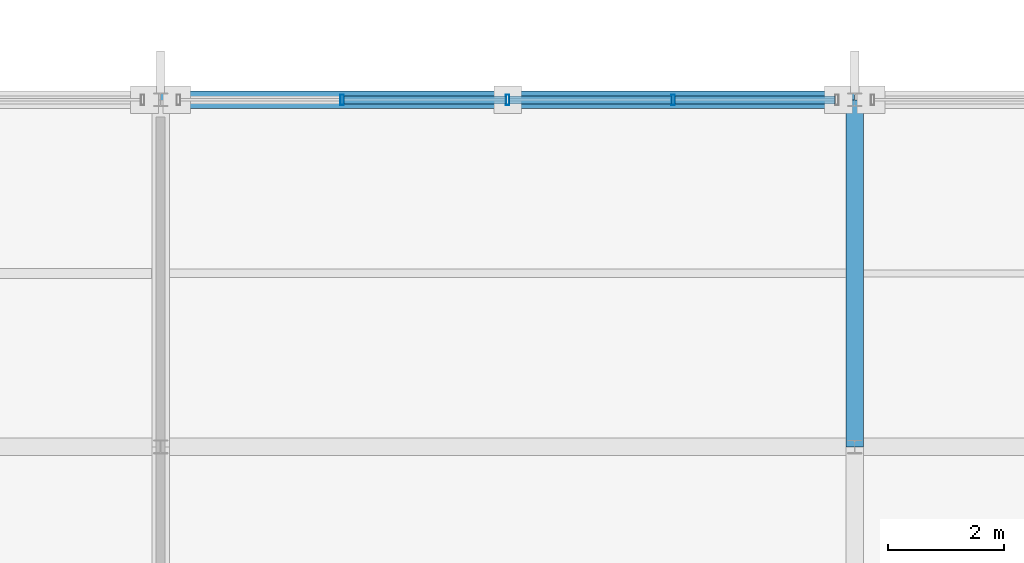
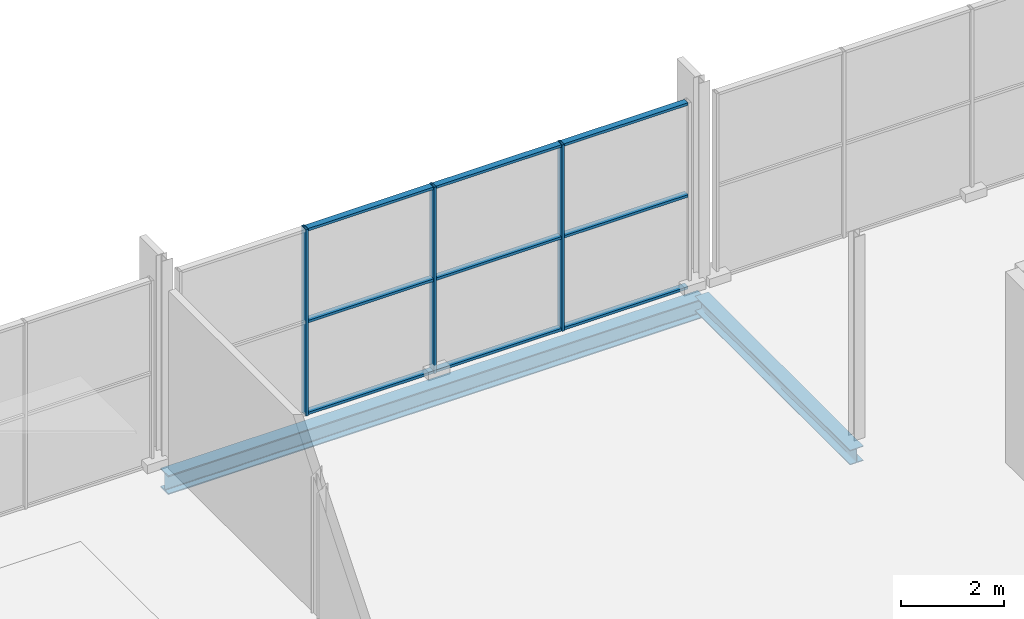
# One storey, part 108 of 159: 12 members, 2 beams, 1 element without a shape of its own.
"""IFC4 building model written with IfcOpenShell, lengths in metres."""

from ifc_helpers import new_model, si_unit, direction, frame, origin, origin_2d, place, context, subcontext, project, spatial, hollow_rectangle, i_section, extrude, material, material_profile, profile_set, type_object, element, aggregate, save


model = new_model("IFC4")

# Units and contexts
model_context = context("Model", 3, precision=1e-05, world=origin(), true_north=direction((0.0, 1.0)))
body_context = subcontext(model_context, "Body", "Model", "MODEL_VIEW")
ifc_project = project(units=[si_unit("LENGTHUNIT", "METRE"), si_unit("AREAUNIT", "SQUARE_METRE"), si_unit("VOLUMEUNIT", "CUBIC_METRE"), si_unit("PLANEANGLEUNIT", "RADIAN"), si_unit("MASSUNIT", "GRAM", prefix="KILO")], contexts=[model_context])

# Site, building, storey
site_placement = place(None, origin())
site = spatial("IfcSite", under=ifc_project, at=site_placement, CompositionType="ELEMENT")
building_placement = place(site_placement, origin())
building = spatial("IfcBuilding", under=site, at=building_placement, Name="Merenkruunu Market Hall", CompositionType="ELEMENT")
storey_placement = place(building_placement, frame((0.0, 0.0, 5.39990234375)))
storey = spatial("IfcBuildingStorey", under=building, at=storey_placement, Name="L01", CompositionType="ELEMENT", Elevation=5.39990234375)

# Curtain wall, members
ifc_material_1 = material(Name="Powder-coated aluminium", Category="aluminium")
curtain_wall_type = type_object("IfcCurtainWallType", Name="Glazed Curtain Wall CW05", PredefinedType="USERDEFINED", material=ifc_material_1)
curtain_wall_placement = place(storey_placement, origin())
curtain_wall = element("IfcCurtainWall", 1, at=curtain_wall_placement, inside=storey, type_object=curtain_wall_type, Name="CW-L01-CWM02-197", ObjectType="GLAZED_FACADE", PredefinedType="USERDEFINED")
ifc_material_profile_1 = material_profile(ifc_material_1, hollow_rectangle(XDim=0.06005859375, YDim=0.179931640625, WallThickness=0.00390625, at=origin_2d()), Name="ALU 60x180x4")
ifc_profile_set_1 = profile_set([ifc_material_profile_1], Name="Powder-coated aluminium")
member_type_1 = type_object("IfcMemberType", Name="Curtain Wall Mullion CWM02", PredefinedType="MULLION", material=ifc_profile_set_1)
member_1_placement = place(storey_placement, frame((127.93994140625, 45.60009765625, 0.0), z_axis=(0.0, 0.0, 1.0), x_axis=(1.0, 0.0, 0.0)))
member_1 = element("IfcMember", 2, at=member_1_placement, type_object=member_type_1, Name="CW05 mullion 2", PredefinedType="MULLION", context=body_context, shape_type="SweptSolid", body=[
    extrude(hollow_rectangle(XDim=0.06005859375, YDim=0.179931640625, WallThickness=0.00390625, at=origin_2d()), origin(), (0.0, 0.0, 1.0), 4.400146484375),
])
member_2_placement = place(storey_placement, frame((130.800048828125, 45.60009765625, 0.0), z_axis=(0.0, 0.0, 1.0), x_axis=(1.0, 0.0, 0.0)))
member_2 = element("IfcMember", 3, at=member_2_placement, type_object=member_type_1, Name="CW05 mullion 3", PredefinedType="MULLION", context=body_context, shape_type="SweptSolid", body=[
    extrude(hollow_rectangle(XDim=0.06005859375, YDim=0.179931640625, WallThickness=0.00390625, at=origin_2d()), origin(), (0.0, 0.0, 1.0), 4.400146484375),
])
member_3_placement = place(storey_placement, frame((133.659912109375, 45.60009765625, 0.0), z_axis=(0.0, 0.0, 1.0), x_axis=(1.0, 0.0, 0.0)))
member_3 = element("IfcMember", 4, at=member_3_placement, type_object=member_type_1, Name="CW05 mullion 4", PredefinedType="MULLION", context=body_context, shape_type="SweptSolid", body=[
    extrude(hollow_rectangle(XDim=0.06005859375, YDim=0.179931640625, WallThickness=0.00390625, at=origin_2d()), origin(), (0.0, 0.0, 1.0), 4.400146484375),
])
ifc_material_profile_2 = material_profile(ifc_material_1, hollow_rectangle(XDim=0.06005859375, YDim=0.139892578125, WallThickness=0.00390625, at=origin_2d()), Name="ALU 60x140x4")
ifc_profile_set_2 = profile_set([ifc_material_profile_2], Name="Powder-coated aluminium")
member_type_2 = type_object("IfcMemberType", Name="Curtain Wall Transom CWT02", PredefinedType="USERDEFINED", material=ifc_profile_set_2)
member_4_placement = place(storey_placement, frame((127.969970703125, 45.60009765625, 0.030029296875), z_axis=(1.0, 0.0, 0.0), x_axis=(0.0, 0.0, 1.0)))
member_4 = element("IfcMember", 5, at=member_4_placement, type_object=member_type_2, Name="CW05 transom 2.1", ObjectType="TRANSOM", PredefinedType="USERDEFINED", context=body_context, shape_type="SweptSolid", body=[
    extrude(hollow_rectangle(XDim=0.06005859375, YDim=0.139892578125, WallThickness=0.00390625, at=origin_2d()), origin(), (0.0, 0.0, 1.0), 2.800048828125),
])
member_5_placement = place(storey_placement, frame((127.969970703125, 45.60009765625, 2.2001953125), z_axis=(1.0, 0.0, 0.0), x_axis=(0.0, 0.0, 1.0)))
member_5 = element("IfcMember", 6, at=member_5_placement, type_object=member_type_2, Name="CW05 transom 2.2", ObjectType="TRANSOM", PredefinedType="USERDEFINED", context=body_context, shape_type="SweptSolid", body=[
    extrude(hollow_rectangle(XDim=0.06005859375, YDim=0.139892578125, WallThickness=0.00390625, at=origin_2d()), origin(), (0.0, 0.0, 1.0), 2.800048828125),
])
member_6_placement = place(storey_placement, frame((127.969970703125, 45.60009765625, 4.3701171875), z_axis=(1.0, 0.0, 0.0), x_axis=(0.0, 0.0, 1.0)))
member_6 = element("IfcMember", 7, at=member_6_placement, type_object=member_type_2, Name="CW05 transom 2.3", ObjectType="TRANSOM", PredefinedType="USERDEFINED", context=body_context, shape_type="SweptSolid", body=[
    extrude(hollow_rectangle(XDim=0.06005859375, YDim=0.139892578125, WallThickness=0.00390625, at=origin_2d()), origin(), (0.0, 0.0, 1.0), 2.800048828125),
])
member_7_placement = place(storey_placement, frame((130.830078125, 45.60009765625, 0.030029296875), z_axis=(1.0, 0.0, 0.0), x_axis=(0.0, 0.0, 1.0)))
member_7 = element("IfcMember", 8, at=member_7_placement, type_object=member_type_2, Name="CW05 transom 3.1", ObjectType="TRANSOM", PredefinedType="USERDEFINED", context=body_context, shape_type="SweptSolid", body=[
    extrude(hollow_rectangle(XDim=0.06005859375, YDim=0.139892578125, WallThickness=0.00390625, at=origin_2d()), origin(), (0.0, 0.0, 1.0), 2.7998046875),
])
member_8_placement = place(storey_placement, frame((130.830078125, 45.60009765625, 2.2001953125), z_axis=(1.0, 0.0, 0.0), x_axis=(0.0, 0.0, 1.0)))
member_8 = element("IfcMember", 9, at=member_8_placement, type_object=member_type_2, Name="CW05 transom 3.2", ObjectType="TRANSOM", PredefinedType="USERDEFINED", context=body_context, shape_type="SweptSolid", body=[
    extrude(hollow_rectangle(XDim=0.06005859375, YDim=0.139892578125, WallThickness=0.00390625, at=origin_2d()), origin(), (0.0, 0.0, 1.0), 2.7998046875),
])
member_9_placement = place(storey_placement, frame((130.830078125, 45.60009765625, 4.3701171875), z_axis=(1.0, 0.0, 0.0), x_axis=(0.0, 0.0, 1.0)))
member_9 = element("IfcMember", 10, at=member_9_placement, type_object=member_type_2, Name="CW05 transom 3.3", ObjectType="TRANSOM", PredefinedType="USERDEFINED", context=body_context, shape_type="SweptSolid", body=[
    extrude(hollow_rectangle(XDim=0.06005859375, YDim=0.139892578125, WallThickness=0.00390625, at=origin_2d()), origin(), (0.0, 0.0, 1.0), 2.7998046875),
])
member_10_placement = place(storey_placement, frame((133.68994140625, 45.60009765625, 0.030029296875), z_axis=(1.0, 0.0, 0.0), x_axis=(0.0, 0.0, 1.0)))
member_10 = element("IfcMember", 11, at=member_10_placement, type_object=member_type_2, Name="CW05 transom 4.1", ObjectType="TRANSOM", PredefinedType="USERDEFINED", context=body_context, shape_type="SweptSolid", body=[
    extrude(hollow_rectangle(XDim=0.06005859375, YDim=0.139892578125, WallThickness=0.00390625, at=origin_2d()), origin(), (0.0, 0.0, 1.0), 2.77001953125),
])
member_11_placement = place(storey_placement, frame((133.68994140625, 45.60009765625, 2.2001953125), z_axis=(1.0, 0.0, 0.0), x_axis=(0.0, 0.0, 1.0)))
member_11 = element("IfcMember", 12, at=member_11_placement, type_object=member_type_2, Name="CW05 transom 4.2", ObjectType="TRANSOM", PredefinedType="USERDEFINED", context=body_context, shape_type="SweptSolid", body=[
    extrude(hollow_rectangle(XDim=0.06005859375, YDim=0.139892578125, WallThickness=0.00390625, at=origin_2d()), origin(), (0.0, 0.0, 1.0), 2.77001953125),
])
member_12_placement = place(storey_placement, frame((133.68994140625, 45.60009765625, 4.3701171875), z_axis=(1.0, 0.0, 0.0), x_axis=(0.0, 0.0, 1.0)))
member_12 = element("IfcMember", 13, at=member_12_placement, type_object=member_type_2, Name="CW05 transom 4.3", ObjectType="TRANSOM", PredefinedType="USERDEFINED", context=body_context, shape_type="SweptSolid", body=[
    extrude(hollow_rectangle(XDim=0.06005859375, YDim=0.139892578125, WallThickness=0.00390625, at=origin_2d()), origin(), (0.0, 0.0, 1.0), 2.77001953125),
])
aggregate(curtain_wall, [member_1, member_2, member_3, member_4, member_5, member_6, member_7, member_8, member_9, member_10, member_11, member_12])

# Beams
ifc_material_2 = material(Name="Steel S355J2", Category="steel")
ifc_material_profile_3 = material_profile(ifc_material_2, i_section(OverallWidth=0.300048828125, OverallDepth=0.449951171875, WebThickness=0.013916015625, FlangeThickness=0.02587890625, FilletRadius=0.027099609375, at=origin_2d()), Name="HEB 450")
ifc_profile_set_3 = profile_set([ifc_material_profile_3], Name="Steel S355J2")
beam_type_1 = type_object("IfcBeamType", Name="Primary Floor Girder B03", PredefinedType="BEAM", material=ifc_profile_set_3)
beam_1_placement = place(storey_placement, frame((124.800048828125, 45.60009765625, -0.5048828125), z_axis=(1.0, 0.0, 0.0), x_axis=(0.0, 1.0, 0.0)))
element("IfcBeam", 14, at=beam_1_placement, inside=storey, type_object=beam_type_1, Name="BM-L01-B03-0513", PredefinedType="BEAM", context=body_context, shape_type="SweptSolid", body=[
    extrude(i_section(OverallWidth=0.300048828125, OverallDepth=0.449951171875, WebThickness=0.013916015625, FlangeThickness=0.02587890625, FilletRadius=0.027099609375, at=origin_2d()), origin(), (0.0, 0.0, 1.0), 12.0),
])
ifc_material_profile_4 = material_profile(ifc_material_2, i_section(OverallWidth=0.300048828125, OverallDepth=0.35009765625, WebThickness=0.010009765625, FlangeThickness=0.017578125, FilletRadius=0.027099609375, at=origin_2d()), Name="HEA 360")
ifc_profile_set_4 = profile_set([ifc_material_profile_4], Name="Steel S355J2")
beam_type_2 = type_object("IfcBeamType", Name="Primary Floor Girder B08", PredefinedType="BEAM", material=ifc_profile_set_4)
beam_2_placement = place(storey_placement, frame((136.800048828125, 39.60009765625, -0.454833984375), z_axis=(0.0, 1.0, 0.0), x_axis=(-1.0, 0.0, 0.0)))
element("IfcBeam", 15, at=beam_2_placement, inside=storey, type_object=beam_type_2, Name="BM-L01-B08-0614", PredefinedType="BEAM", context=body_context, shape_type="SweptSolid", body=[
    extrude(i_section(OverallWidth=0.300048828125, OverallDepth=0.35009765625, WebThickness=0.010009765625, FlangeThickness=0.017578125, FilletRadius=0.027099609375, at=origin_2d()), origin(), (0.0, 0.0, 1.0), 6.0),
])

save(model, "model.ifc")
